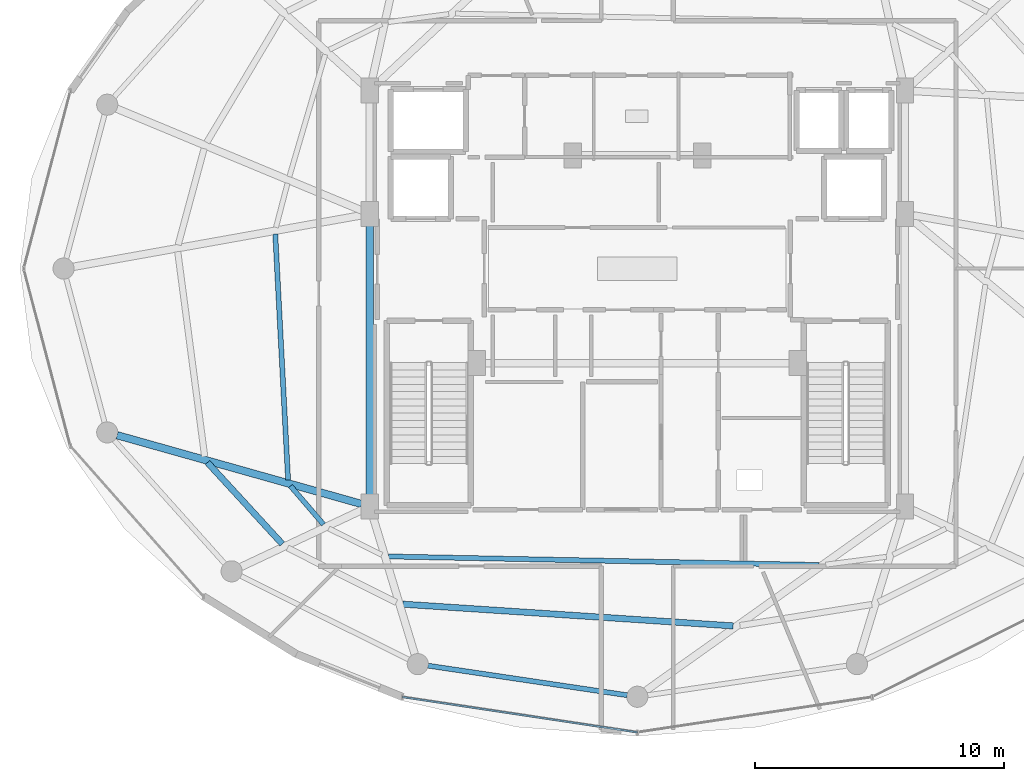
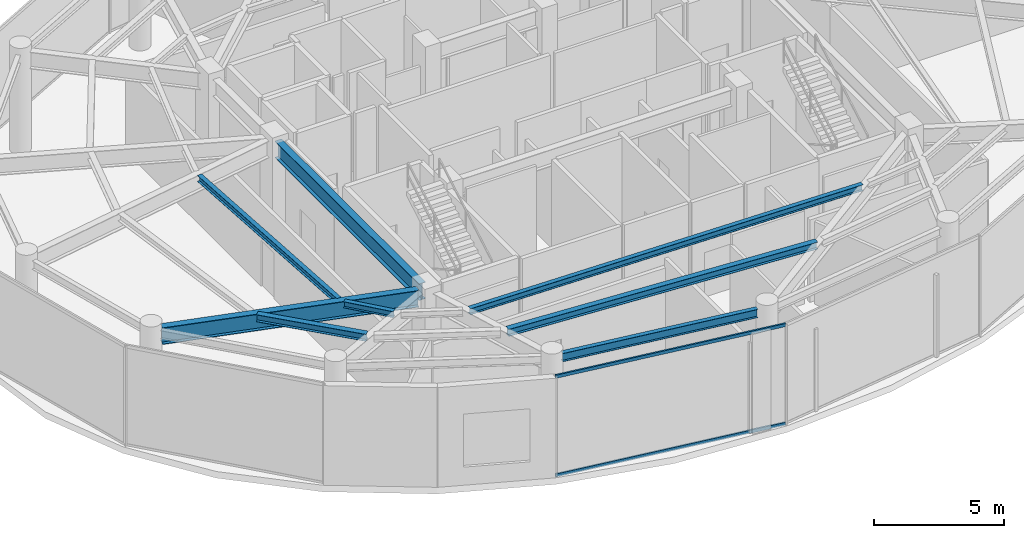
# One storey, part 4 of 24: 8 beams, 2 members, 1 element without a shape of its own.
"""IFC4 building model written with IfcOpenShell, lengths in metres."""

import ifcopenshell
import ifcopenshell.guid

model = None  # the IFC model being written
_history = None  # IfcOwnerHistory: only IFC2X3 demands one
_inside = {}  # id of a spatial element -> (the spatial element, [elements in it])
_under = {}  # id of a project, library or spatial element -> (it, [spatial elements below it])
_declared = {}  # id of a project -> (the project, [libraries it declares])
_typed = {}  # id of a type object -> (the type object, [elements of that type])
_made_of = {}  # id of a material, layer set ... -> (it, [elements and type objects made of it])


def new_model(schema):
    """Start an empty IFC model of exactly this schema.

    Asked for "IFC4X3", IfcOpenShell would pick the latest addendum, in which some entities
    have other attributes; the version numbers below select the first issue.
    IFC2X3 requires an IfcOwnerHistory on every rooted entity: one is made here for all.
    """
    global model, _history
    if schema == "IFC4X3":
        model = ifcopenshell.file(schema_version=(4, 3, 0, 0))
    else:
        model = ifcopenshell.file(schema=schema)
    _inside.clear()
    _under.clear()
    _declared.clear()
    _typed.clear()
    _made_of.clear()
    _history = None
    if model.schema == "IFC2X3":
        org = make("IfcOrganization", Name="unknown")
        user = make(
            "IfcPersonAndOrganization",
            ThePerson=make("IfcPerson", FamilyName="unknown"),
            TheOrganization=org,
        )
        app = make(
            "IfcApplication",
            ApplicationDeveloper=org,
            Version="unknown",
            ApplicationFullName="unknown",
            ApplicationIdentifier="unknown",
        )
        _history = make(
            "IfcOwnerHistory",
            OwningUser=user,
            OwningApplication=app,
            ChangeAction="ADDED",
            CreationDate=0,
        )
    return model


def make(cls, **values):
    """One entity of the class cls with the attributes given. An attribute that is None is left unset."""
    return model.create_entity(
        cls, **{name: value for name, value in values.items() if value is not None}
    )


def rooted(cls, **values):
    """An entity with a GlobalId (a new one), such as an element, a storey or a relation."""
    return make(cls, GlobalId=ifcopenshell.guid.new(), OwnerHistory=_history, **values)


def si_unit(unit_type, name, prefix=None):
    """IfcSIUnit, for example si_unit("LENGTHUNIT", "METRE", prefix="MILLI")."""
    return make("IfcSIUnit", UnitType=unit_type, Prefix=prefix, Name=name)


def assignment(units):
    """IfcUnitAssignment: the units of a project."""
    return None if units is None else make("IfcUnitAssignment", Units=units)


def point(xyz):
    """IfcCartesianPoint."""
    return None if xyz is None else make("IfcCartesianPoint", Coordinates=xyz)


def direction(xyz):
    """IfcDirection."""
    return None if xyz is None else make("IfcDirection", DirectionRatios=xyz)


def frame(location, z_axis=None, x_axis=None):
    """IfcAxis2Placement3D, a coordinate frame: its origin and axes. An axis left out is left unset."""
    return make(
        "IfcAxis2Placement3D",
        Location=point(location),
        Axis=direction(z_axis),
        RefDirection=direction(x_axis),
    )


def frame_2d(location, x_axis=None):
    """IfcAxis2Placement2D, a coordinate frame in the plane: its origin and x axis."""
    return make(
        "IfcAxis2Placement2D", Location=point(location), RefDirection=direction(x_axis)
    )


def origin():
    """The frame at (0, 0, 0) with its axes left unset."""
    return frame((0.0, 0.0, 0.0))


def origin_2d():
    """The frame at (0, 0) in the plane with its x axis left unset."""
    return frame_2d((0.0, 0.0))


def place(relative_to, where):
    """IfcLocalPlacement: puts the frame where relative to a parent placement (None: the world)."""
    return make(
        "IfcLocalPlacement", PlacementRelTo=relative_to, RelativePlacement=where
    )


def context(
    kind, dimensions, precision=None, world=None, true_north=None, identifier=None
):
    """IfcGeometricRepresentationContext, for example the 3D "Model" context."""
    return make(
        "IfcGeometricRepresentationContext",
        ContextIdentifier=identifier,
        ContextType=kind,
        CoordinateSpaceDimension=dimensions,
        Precision=precision,
        WorldCoordinateSystem=world,
        TrueNorth=true_north,
    )


def subcontext(parent, identifier, kind, view, scale=None):
    """IfcGeometricRepresentationSubContext, for example "Body" below "Model"."""
    return make(
        "IfcGeometricRepresentationSubContext",
        ContextIdentifier=identifier,
        ContextType=kind,
        ParentContext=parent,
        TargetScale=scale,
        TargetView=view,
    )


def project(units=None, contexts=None):
    """IfcProject with its units and contexts."""
    return rooted(
        "IfcProject",
        Name="project",
        RepresentationContexts=contexts,
        UnitsInContext=assignment(units),
    )


def spatial(cls, under=None, at=None, **own):
    """A site, building, storey or space (cls), placed at a placement, below another one or the project."""
    s = rooted(cls, ObjectPlacement=at, **own)
    if under is not None:
        _under.setdefault(under.id(), (under, []))[1].append(s)
    return s


def profile(cls, at=None, kind="AREA", **sizes):
    """A parametric profile (cls). Its sizes go by their IFC names, for example OverallWidth=200.0."""
    return make(cls, ProfileType=kind, Position=at, **sizes)


def hollow_rectangle(**sizes):
    """IfcRectangleHollowProfileDef."""
    return profile("IfcRectangleHollowProfileDef", **sizes)


def i_section(**sizes):
    """IfcIShapeProfileDef."""
    return profile("IfcIShapeProfileDef", **sizes)


def extrude(swept, where, along, depth):
    """IfcExtrudedAreaSolid: the profile swept, set in the frame where, extruded along a direction by depth."""
    return make(
        "IfcExtrudedAreaSolid",
        SweptArea=swept,
        Position=where,
        ExtrudedDirection=direction(along),
        Depth=depth,
    )


def shape(context_of_items, identifier, shape_type, items):
    """IfcShapeRepresentation: the items that make up one representation, for example the "Body"."""
    return make(
        "IfcShapeRepresentation",
        ContextOfItems=context_of_items,
        RepresentationIdentifier=identifier,
        RepresentationType=shape_type,
        Items=items,
    )


def material(Name=None, Category=None):
    """IfcMaterial."""
    return make("IfcMaterial", Name=Name, Category=Category)


def material_profile(
    of_material, cross_section, Name=None, Category=None, Priority=None
):
    """IfcMaterialProfile: a cross section and its material."""
    return make(
        "IfcMaterialProfile",
        Name=Name,
        Material=of_material,
        Profile=cross_section,
        Priority=Priority,
        Category=Category,
    )


def profile_set(profiles, Name=None, composite=None):
    """IfcMaterialProfileSet."""
    return make(
        "IfcMaterialProfileSet",
        Name=Name,
        MaterialProfiles=profiles,
        CompositeProfile=composite,
    )


def made_of(thing, what):
    """Note that an element or type object is made of a material, layer set ...; save() writes the relation."""
    if what is not None:
        _made_of.setdefault(what.id(), (what, []))[1].append(thing)
    return thing


def type_object(cls, material=None, **own):
    """A type object (cls), such as IfcWallType, which elements share."""
    return made_of(rooted(cls, **own), material)


def element(
    cls,
    number,
    at=None,
    inside=None,
    cuts=None,
    type_object=None,
    material=None,
    context=None,
    identifier="Body",
    shape_type=None,
    held_by="IfcProductDefinitionShape",
    body=None,
    shapes=None,
    **own,
):
    """One element of the class cls, such as IfcWall. Its Tag is "e" and its number.

    at: its placement. inside: the storey or other place that contains it. cuts: it is an
    opening in that element (IfcRelVoidsElement). A single representation is given by context,
    identifier, shape_type and body (its items); several are given by shapes. held_by: the class
    of the entity that holds the representations. save() writes the other relations.
    """
    e = rooted(cls, Tag="e%d" % number, ObjectPlacement=at, **own)
    if body is not None:
        shapes = [shape(context, identifier, shape_type, body)]
    if shapes is not None:
        e.Representation = make(held_by, Representations=shapes)
    if inside is not None:
        _inside.setdefault(inside.id(), (inside, []))[1].append(e)
    if cuts is not None:
        rooted(
            "IfcRelVoidsElement", RelatingBuildingElement=cuts, RelatedOpeningElement=e
        )
    if type_object is not None:
        _typed.setdefault(type_object.id(), (type_object, []))[1].append(e)
    return made_of(e, material)


def aggregate(whole, parts):
    """IfcRelAggregates: a whole, such as a stair, and the parts it consists of."""
    return rooted("IfcRelAggregates", RelatingObject=whole, RelatedObjects=parts)


def save(model, path):
    """Write the relations noted so far, then the file.

    IfcRelAggregates (storeys below a building ...), IfcRelContainedInSpatialStructure (elements
    in a storey), IfcRelDefinesByType, IfcRelAssociatesMaterial and IfcRelDeclares: one each for
    every whole, place, type object, material and project.
    """
    for whole, parts in _under.values():
        aggregate(whole, parts)
    for where, things in _inside.values():
        rooted(
            "IfcRelContainedInSpatialStructure",
            RelatedElements=things,
            RelatingStructure=where,
        )
    for kind, things in _typed.values():
        rooted("IfcRelDefinesByType", RelatedObjects=things, RelatingType=kind)
    for what, things in _made_of.values():
        rooted("IfcRelAssociatesMaterial", RelatedObjects=things, RelatingMaterial=what)
    for by, libraries in _declared.values():
        rooted("IfcRelDeclares", RelatingContext=by, RelatedDefinitions=libraries)
    model.write(path)


model = new_model("IFC4")

# Units and contexts
model_context = context("Model", 3, precision=1e-05, world=origin(), true_north=direction((0.0, 1.0)))
body_context = subcontext(model_context, "Body", "Model", "MODEL_VIEW")
ifc_project = project(units=[si_unit("LENGTHUNIT", "METRE"), si_unit("AREAUNIT", "SQUARE_METRE"), si_unit("VOLUMEUNIT", "CUBIC_METRE"), si_unit("PLANEANGLEUNIT", "RADIAN"), si_unit("MASSUNIT", "GRAM", prefix="KILO")], contexts=[model_context])

# Site, building, storey
site_placement = place(None, origin())
site = spatial("IfcSite", under=ifc_project, at=site_placement, CompositionType="ELEMENT")
building_placement = place(site_placement, origin())
building = spatial("IfcBuilding", under=site, at=building_placement, Name="Vorneva Point Tower", CompositionType="ELEMENT")
storey_placement = place(building_placement, frame((0.0, 0.0, 285.39990234375)))
storey = spatial("IfcBuildingStorey", under=building, at=storey_placement, Name="L77", CompositionType="ELEMENT", Elevation=285.39990234375)

# Beams
ifc_material_1 = material(Name="Steel S355", Category="steel")
ifc_material_profile_1 = material_profile(ifc_material_1, i_section(OverallWidth=0.300048828125, OverallDepth=0.7880859375, WebThickness=0.014404296875, FlangeThickness=0.02197265625, at=origin_2d()), Name="80Sh1")
ifc_profile_set_1 = profile_set([ifc_material_profile_1], Name="Steel S355")
beam_type_1 = type_object("IfcBeamType", Name="BM-GRD-80Sh1", PredefinedType="USERDEFINED", material=ifc_profile_set_1)
beam_1_placement = place(storey_placement, frame((17.102294921875, 19.305908203125, 4.296142578125), z_axis=(0.962601026021, -0.270922986664, 0.0), x_axis=(0.270922986664, 0.962601026021, 0.0)))
element("IfcBeam", 1, at=beam_1_placement, inside=storey, type_object=beam_type_1, Name="L77 Radial Primary Girder 10", ObjectType="GIRDER", PredefinedType="USERDEFINED", context=body_context, shape_type="SweptSolid", body=[
    extrude(i_section(OverallWidth=0.300048828125, OverallDepth=0.7880859375, WebThickness=0.014404296875, FlangeThickness=0.02197265625, at=origin_2d()), origin(), (0.0, 0.0, 1.0), 10.201904296875),
])
beam_2_placement = place(storey_placement, frame((27.25, 16.77001953125, 4.296142578125), z_axis=(0.0, 1.0, 0.0), x_axis=(-1.0, 0.0, 0.0)))
element("IfcBeam", 2, at=beam_2_placement, inside=storey, type_object=beam_type_1, Name="L77 Core Tie Girder CT1", ObjectType="GIRDER", PredefinedType="USERDEFINED", context=body_context, shape_type="SweptSolid", body=[
    extrude(i_section(OverallWidth=0.300048828125, OverallDepth=0.7880859375, WebThickness=0.014404296875, FlangeThickness=0.02197265625, at=origin_2d()), origin(), (0.0, 0.0, 1.0), 11.10986328125),
])
ifc_material_profile_2 = material_profile(ifc_material_1, i_section(OverallWidth=0.199951171875, OverallDepth=0.291015625, WebThickness=0.008056640625, FlangeThickness=0.010986328125, at=origin_2d()), Name="30Sh1")
ifc_profile_set_2 = profile_set([ifc_material_profile_2], Name="Steel S355")
beam_type_2 = type_object("IfcBeamType", Name="BM-SEC-30Sh1", PredefinedType="BEAM", material=ifc_profile_set_2)
beam_3_placement = place(storey_placement, frame((23.454833984375, 27.382080078125, 4.544677734375), z_axis=(0.052055932544, -0.998644170807, 0.0), x_axis=(0.998644170807, 0.052055932544, 0.0)))
element("IfcBeam", 3, at=beam_3_placement, inside=storey, type_object=beam_type_2, Name="L77 Secondary Floor Beam 2.09", PredefinedType="BEAM", context=body_context, shape_type="SweptSolid", body=[
    extrude(i_section(OverallWidth=0.199951171875, OverallDepth=0.291015625, WebThickness=0.008056640625, FlangeThickness=0.010986328125, at=origin_2d()), origin(), (0.0, 0.0, 1.0), 9.886474609375),
])
beam_4_placement = place(storey_placement, frame((24.06640625, 17.2666015625, 4.544677734375), z_axis=(0.651452972558, -0.758689017019, 0.0), x_axis=(0.758689017019, 0.651452972558, 0.0)))
element("IfcBeam", 4, at=beam_4_placement, inside=storey, type_object=beam_type_2, Name="L77 Secondary Floor Beam 2.10", PredefinedType="BEAM", context=body_context, shape_type="SweptSolid", body=[
    extrude(i_section(OverallWidth=0.199951171875, OverallDepth=0.291015625, WebThickness=0.008056640625, FlangeThickness=0.010986328125, at=origin_2d()), origin(), (0.0, 0.0, 1.0), 2.035400390625),
])
beam_5_placement = place(storey_placement, frame((28.0, 14.435791015625, 4.544677734375), z_axis=(0.999801957281, -0.019900909973, 0.0), x_axis=(0.019900909973, 0.999801957281, 0.0)))
element("IfcBeam", 5, at=beam_5_placement, inside=storey, type_object=beam_type_2, Name="L77 Secondary Floor Beam 2.12", PredefinedType="BEAM", context=body_context, shape_type="SweptSolid", body=[
    extrude(i_section(OverallWidth=0.199951171875, OverallDepth=0.291015625, WebThickness=0.008056640625, FlangeThickness=0.010986328125, at=origin_2d()), origin(), (0.0, 0.0, 1.0), 17.297607421875),
])
ifc_material_profile_3 = material_profile(ifc_material_1, i_section(OverallWidth=0.2490234375, OverallDepth=0.333984375, WebThickness=0.008056640625, FlangeThickness=0.010986328125, at=origin_2d()), Name="35Sh1")
ifc_profile_set_3 = profile_set([ifc_material_profile_3], Name="Steel S355")
beam_type_3 = type_object("IfcBeamType", Name="BM-SEC-35Sh1", PredefinedType="BEAM", material=ifc_profile_set_3)
beam_6_placement = place(storey_placement, frame((20.73095703125, 18.209228515625, 4.523193359375), z_axis=(0.676496329172, -0.736446003871, 0.0), x_axis=(0.736446003871, 0.676496329172, 0.0)))
element("IfcBeam", 6, at=beam_6_placement, inside=storey, type_object=beam_type_3, Name="L77 Secondary Floor Beam 1.10", PredefinedType="BEAM", context=body_context, shape_type="SweptSolid", body=[
    extrude(i_section(OverallWidth=0.2490234375, OverallDepth=0.333984375, WebThickness=0.008056640625, FlangeThickness=0.010986328125, at=origin_2d()), origin(), (0.0, 0.0, 1.0), 4.43896484375),
])
beam_7_placement = place(storey_placement, frame((28.5810546875, 12.5185546875, 4.523193359375), z_axis=(0.997841748634, -0.065664637992, 0.0), x_axis=(0.065664637992, 0.997841748634, 0.0)))
element("IfcBeam", 7, at=beam_7_placement, inside=storey, type_object=beam_type_3, Name="L77 Secondary Floor Beam 1.12", PredefinedType="BEAM", context=body_context, shape_type="SweptSolid", body=[
    extrude(i_section(OverallWidth=0.2490234375, OverallDepth=0.333984375, WebThickness=0.008056640625, FlangeThickness=0.010986328125, at=origin_2d()), origin(), (0.0, 0.0, 1.0), 13.295654296875),
])
ifc_material_profile_4 = material_profile(ifc_material_1, i_section(OverallWidth=0.198974609375, OverallDepth=0.39599609375, WebThickness=0.007080078125, FlangeThickness=0.010986328125, at=origin_2d()), Name="40B1")
ifc_profile_set_4 = profile_set([ifc_material_profile_4], Name="Steel S355")
beam_type_4 = type_object("IfcBeamType", Name="BM-SPN-40B1", PredefinedType="SPANDREL", material=ifc_profile_set_4)
beam_8_placement = place(storey_placement, frame((29.584716796875, 10.049072265625, 4.4921875), z_axis=(0.989161657331, -0.146830567886, 0.0), x_axis=(0.146830567886, 0.989161657331, 0.0)))
element("IfcBeam", 8, at=beam_8_placement, inside=storey, type_object=beam_type_4, Name="L77 Perimeter Spandrel Ring Beam 12", PredefinedType="SPANDREL", context=body_context, shape_type="SweptSolid", body=[
    extrude(i_section(OverallWidth=0.198974609375, OverallDepth=0.39599609375, WebThickness=0.007080078125, FlangeThickness=0.010986328125, at=origin_2d()), origin(), (0.0, 0.0, 1.0), 8.097412109375),
])

# Curtain wall, members
ifc_material_2 = material(Name="Pale anodised aluminium", Category="aluminium")
curtain_wall_type = type_object("IfcCurtainWallType", Name="CW-OBS-SYS", PredefinedType="NOTDEFINED", material=ifc_material_2)
curtain_wall_placement = place(storey_placement, origin())
curtain_wall = element("IfcCurtainWall", 9, at=curtain_wall_placement, inside=storey, type_object=curtain_wall_type, Name="L77 Unitised Curtain Wall CW-L77-R04", PredefinedType="NOTDEFINED")
ifc_material_profile_5 = material_profile(ifc_material_2, hollow_rectangle(XDim=0.074951171875, YDim=0.14990234375, WallThickness=0.00390625, at=origin_2d()), Name="AL-TRN 150x75x4")
ifc_profile_set_5 = profile_set([ifc_material_profile_5], Name="Pale anodised aluminium")
member_type = type_object("IfcMemberType", Name="CW-TRN-150", PredefinedType="USERDEFINED", material=ifc_profile_set_5)
member_1_placement = place(storey_placement, frame((28.56689453125, 8.7880859375, 0.02001953125), z_axis=(0.988890123612, -0.148648321288, 0.0), x_axis=(0.148648321288, 0.988890123612, 0.0)))
member_1 = element("IfcMember", 10, at=member_1_placement, type_object=member_type, Name="CW-L77-R04 Transom 01.1", ObjectType="TRANSOM", PredefinedType="USERDEFINED", context=body_context, shape_type="SweptSolid", body=[
    extrude(hollow_rectangle(XDim=0.074951171875, YDim=0.14990234375, WallThickness=0.00390625, at=origin_2d()), origin(), (0.0, 0.0, 1.0), 9.5390625),
])
member_2_placement = place(storey_placement, frame((28.56689453125, 8.7880859375, 4.670166015625), z_axis=(0.988890123612, -0.148648321288, 0.0), x_axis=(0.148648321288, 0.988890123612, 0.0)))
member_2 = element("IfcMember", 11, at=member_2_placement, type_object=member_type, Name="CW-L77-R04 Transom 01.2", ObjectType="TRANSOM", PredefinedType="USERDEFINED", context=body_context, shape_type="SweptSolid", body=[
    extrude(hollow_rectangle(XDim=0.074951171875, YDim=0.14990234375, WallThickness=0.00390625, at=origin_2d()), origin(), (0.0, 0.0, 1.0), 9.5390625),
])
aggregate(curtain_wall, [member_1, member_2])

save(model, "model.ifc")
